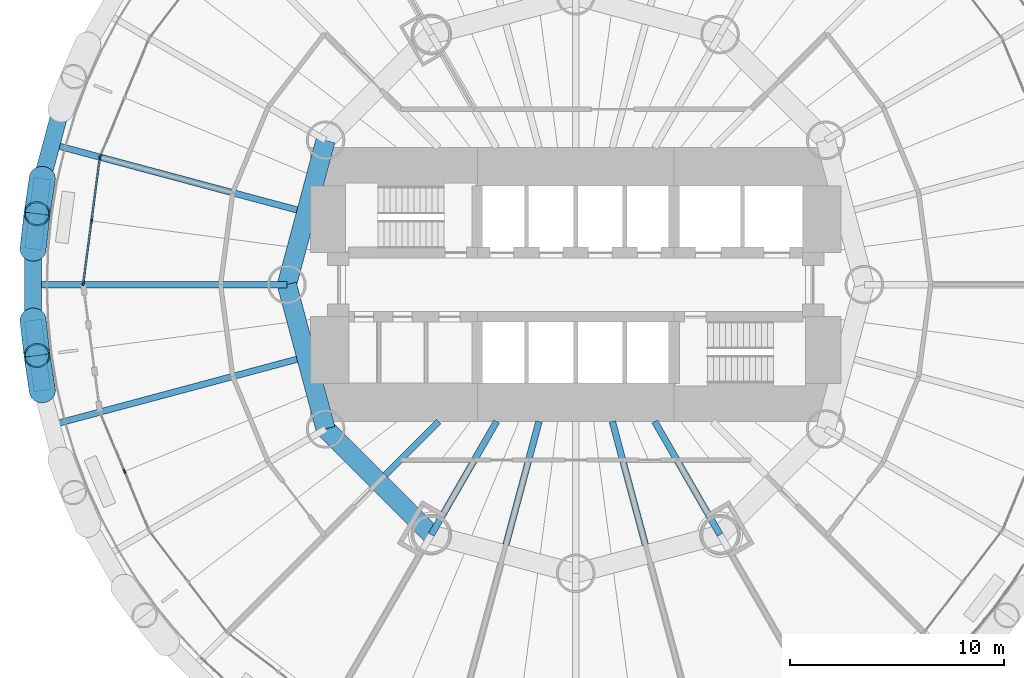
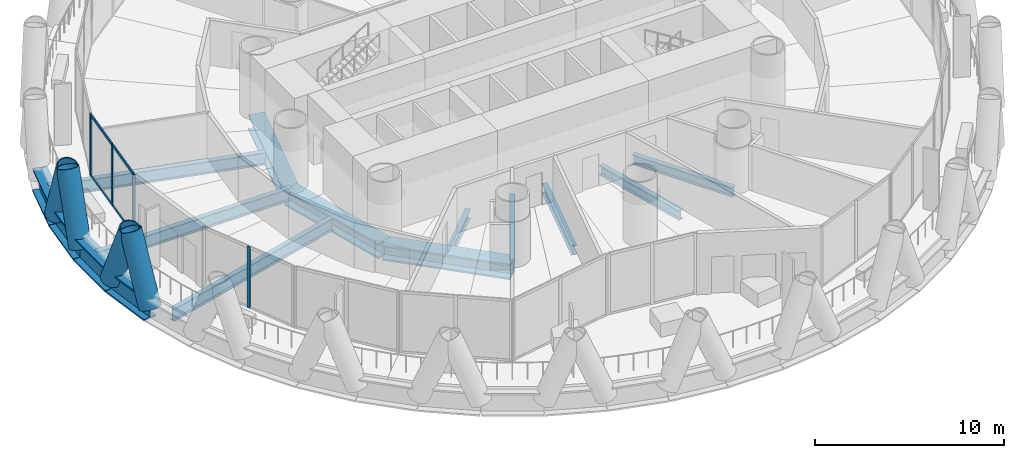
# One storey, part 3 of 15: 15 beams, 13 members, 3 elements without a shape of their own.
"""IFC4 building model written with IfcOpenShell, lengths in metres."""

from ifc_helpers import new_model, si_unit, direction, frame, origin, origin_2d, place, context, subcontext, project, spatial, rectangle, hollow_circle, i_section, extrude, material, material_profile, profile_set, type_object, element, aggregate, save


model = new_model("IFC4")

# Units and contexts
model_context = context("Model", 3, precision=1e-05, world=origin(), true_north=direction((0.0, 1.0)))
body_context = subcontext(model_context, "Body", "Model", "MODEL_VIEW")
ifc_project = project(units=[si_unit("LENGTHUNIT", "METRE"), si_unit("AREAUNIT", "SQUARE_METRE"), si_unit("VOLUMEUNIT", "CUBIC_METRE"), si_unit("PLANEANGLEUNIT", "RADIAN"), si_unit("MASSUNIT", "GRAM", prefix="KILO")], contexts=[model_context])

# Site, building, storey
site_placement = place(None, origin())
site = spatial("IfcSite", under=ifc_project, at=site_placement, CompositionType="ELEMENT")
building_placement = place(site_placement, origin())
building = spatial("IfcBuilding", under=site, at=building_placement, Name="Qaws Media Tower", CompositionType="ELEMENT")
storey_placement = place(building_placement, frame((0.0, 0.0, 97.39990234375)))
storey = spatial("IfcBuildingStorey", under=building, at=storey_placement, Name="L21", CompositionType="ELEMENT", Elevation=97.39990234375)

# Curtain wall, member
ifc_material_1 = material(Name="Aluminium and clear glass", Category="aluminium")
curtain_wall_type = type_object("IfcCurtainWallType", Name="Unitised curtain wall CW-A", PredefinedType="NOTDEFINED", material=ifc_material_1)
curtain_wall_1_placement = place(storey_placement, origin())
curtain_wall_1 = element("IfcCurtainWall", 1, at=curtain_wall_1_placement, inside=storey, type_object=curtain_wall_type, Name="CWA curtain wall L21-11", PredefinedType="NOTDEFINED")
ifc_material_2 = material(Name="Aluminium mullion", Category="aluminium")
ifc_material_profile_1 = material_profile(ifc_material_2, rectangle(XDim=0.080078125, YDim=0.199951171875, at=origin_2d()), Name="80x200")
ifc_profile_set_1 = profile_set([ifc_material_profile_1], Name="Aluminium mullion")
member_type_1 = type_object("IfcMemberType", Name="Curtain wall mullion 80x200", PredefinedType="MULLION", material=ifc_profile_set_1)
member_1_placement = place(storey_placement, frame((37.77490234375, 55.996337890625, 0.0), z_axis=(0.0, 0.0, 1.0), x_axis=(0.923879534081, -0.382683428576, 0.0)))
member_1 = element("IfcMember", 2, at=member_1_placement, type_object=member_type_1, Name="CWA mullion 3", PredefinedType="MULLION", context=body_context, shape_type="SweptSolid", body=[
    extrude(rectangle(XDim=0.080078125, YDim=0.199951171875, at=origin_2d()), origin(), (0.0, 0.0, 1.0), 3.9501953125),
])
aggregate(curtain_wall_1, [member_1])

# Curtain wall, members
curtain_wall_2_placement = place(storey_placement, origin())
curtain_wall_2 = element("IfcCurtainWall", 3, at=curtain_wall_2_placement, inside=storey, type_object=curtain_wall_type, Name="CWA curtain wall L21-12", PredefinedType="NOTDEFINED")
member_2_placement = place(storey_placement, frame((37.75439453125, 55.919677734375, 0.0), z_axis=(0.0, 0.0, 1.0), x_axis=(0.991444859517, -0.130526206323, 0.0)))
member_2 = element("IfcMember", 4, at=member_2_placement, type_object=member_type_1, Name="CWA mullion 1", PredefinedType="MULLION", context=body_context, shape_type="SweptSolid", body=[
    extrude(rectangle(XDim=0.080078125, YDim=0.199951171875, at=origin_2d()), origin(), (0.0, 0.0, 1.0), 3.9501953125),
])
member_3_placement = place(storey_placement, frame((37.3671875, 52.979736328125, 0.0), z_axis=(0.0, 0.0, 1.0), x_axis=(0.991444859517, -0.130526206323, 0.0)))
member_3 = element("IfcMember", 5, at=member_3_placement, type_object=member_type_1, Name="CWA mullion 2", PredefinedType="MULLION", context=body_context, shape_type="SweptSolid", body=[
    extrude(rectangle(XDim=0.080078125, YDim=0.199951171875, at=origin_2d()), origin(), (0.0, 0.0, 1.0), 3.9501953125),
])
member_4_placement = place(storey_placement, frame((36.980224609375, 50.03955078125, 0.0), z_axis=(0.0, 0.0, 1.0), x_axis=(0.991444859517, -0.130526206323, 0.0)))
member_4 = element("IfcMember", 6, at=member_4_placement, type_object=member_type_1, Name="CWA mullion 3", PredefinedType="MULLION", context=body_context, shape_type="SweptSolid", body=[
    extrude(rectangle(XDim=0.080078125, YDim=0.199951171875, at=origin_2d()), origin(), (0.0, 0.0, 1.0), 3.9501953125),
])

# Curtain wall, member
curtain_wall_3_placement = place(storey_placement, origin())
curtain_wall_3 = element("IfcCurtainWall", 7, at=curtain_wall_3_placement, inside=storey, type_object=curtain_wall_type, Name="CWA curtain wall L21-14", PredefinedType="NOTDEFINED")
member_5_placement = place(storey_placement, frame((38.90966796875, 41.26416015625, 0.0), z_axis=(0.0, 0.0, 1.0), x_axis=(0.923879534081, 0.382683428576, 0.0)))
member_5 = element("IfcMember", 8, at=member_5_placement, type_object=member_type_1, Name="CWA mullion 2", PredefinedType="MULLION", context=body_context, shape_type="SweptSolid", body=[
    extrude(rectangle(XDim=0.080078125, YDim=0.199951171875, at=origin_2d()), origin(), (0.0, 0.0, 1.0), 3.9501953125),
])
aggregate(curtain_wall_3, [member_5])

# Member
ifc_material_3 = material(Name="Aluminium transom", Category="aluminium")
ifc_material_profile_2 = material_profile(ifc_material_3, rectangle(XDim=0.080078125, YDim=0.159912109375, at=origin_2d()), Name="80x160")
ifc_profile_set_2 = profile_set([ifc_material_profile_2], Name="Aluminium transom")
member_type_2 = type_object("IfcMemberType", Name="Curtain wall transom 80x160", PredefinedType="USERDEFINED", material=ifc_profile_set_2)
member_6_placement = place(storey_placement, frame((37.7490234375, 55.8798828125, 0.0400390625), z_axis=(-0.130478589921, -0.991451127173, 0.0), x_axis=(0.991451127173, -0.130478589921, 0.0)))
member_6 = element("IfcMember", 9, at=member_6_placement, type_object=member_type_2, Name="CWA transom 1.1", ObjectType="TRANSOM", PredefinedType="USERDEFINED", context=body_context, shape_type="SweptSolid", body=[
    extrude(rectangle(XDim=0.080078125, YDim=0.159912109375, at=origin_2d()), origin(), (0.0, 0.0, 1.0), 2.88525390625),
])

member_7_placement = place(storey_placement, frame((37.7490234375, 55.8798828125, 3.91015625), z_axis=(-0.130478589921, -0.991451127173, 0.0), x_axis=(0.991451127173, -0.130478589921, 0.0)))
member_7 = element("IfcMember", 10, at=member_7_placement, type_object=member_type_2, Name="CWA transom 1.2", ObjectType="TRANSOM", PredefinedType="USERDEFINED", context=body_context, shape_type="SweptSolid", body=[
    extrude(rectangle(XDim=0.080078125, YDim=0.159912109375, at=origin_2d()), origin(), (0.0, 0.0, 1.0), 2.88525390625),
])

member_8_placement = place(storey_placement, frame((37.362060546875, 52.93994140625, 0.0400390625), z_axis=(-0.130561764442, -0.991440177553, 0.0), x_axis=(0.991440177553, -0.130561764442, 0.0)))
member_8 = element("IfcMember", 11, at=member_8_placement, type_object=member_type_2, Name="CWA transom 2.1", ObjectType="TRANSOM", PredefinedType="USERDEFINED", context=body_context, shape_type="SweptSolid", body=[
    extrude(rectangle(XDim=0.080078125, YDim=0.159912109375, at=origin_2d()), origin(), (0.0, 0.0, 1.0), 2.88525390625),
])

member_9_placement = place(storey_placement, frame((37.362060546875, 52.93994140625, 3.91015625), z_axis=(-0.130561764442, -0.991440177553, 0.0), x_axis=(0.991440177553, -0.130561764442, 0.0)))
member_9 = element("IfcMember", 12, at=member_9_placement, type_object=member_type_2, Name="CWA transom 2.2", ObjectType="TRANSOM", PredefinedType="USERDEFINED", context=body_context, shape_type="SweptSolid", body=[
    extrude(rectangle(XDim=0.080078125, YDim=0.159912109375, at=origin_2d()), origin(), (0.0, 0.0, 1.0), 2.88525390625),
])

aggregate(curtain_wall_2, [member_2, member_3, member_4, member_6, member_7, member_8, member_9])

# Members
ifc_material_4 = material(Name="Steel S460", Category="steel")
ifc_material_profile_3 = material_profile(ifc_material_4, hollow_circle(Radius=0.609619140625, WallThickness=0.06005859375, at=origin_2d()), Name="CHS 1219x60")
ifc_profile_set_3 = profile_set([ifc_material_profile_3], Name="Steel S460")
member_type_3 = type_object("IfcMemberType", Name="Diagrid member CHS 1219x60", PredefinedType="USERDEFINED", material=ifc_profile_set_3)
for number, where, z_axis, x_axis, name in (
    (13, (35.0634765625, 54.960205078125, -0.909912109375), (-0.055503674666, -0.370960571653, 0.926988455363), (0.988991200484, -0.147974340224, 0.0), "DG1 diagrid L21 A12"),
    (14, (34.62939453125, 48.337158203125, -0.909912109375), (0.042398060104, -0.372717492007, 0.926975768643), (0.993592148924, 0.113024960064, 0.0), "DG1 diagrid L21 A13"),
    (15, (34.62939453125, 51.662841796875, -0.909912109375), (0.042398060104, 0.372717492007, 0.926975768643), (-0.993592148924, 0.113024960064, 0.0), "DG1 diagrid L21 B13"),
    (16, (35.0634765625, 45.039794921875, -0.909912109375), (-0.055503674666, 0.370960571653, 0.926988455363), (-0.988991200484, -0.147974340224, 0.0), "DG1 diagrid L21 B14"),
):
    element("IfcMember", number, at=place(storey_placement, frame(where, z_axis=z_axis, x_axis=x_axis)), inside=storey, type_object=member_type_3, Name=name, ObjectType="DIAGRID", PredefinedType="USERDEFINED", context=body_context, shape_type="SweptSolid", body=[
        extrude(hollow_circle(Radius=0.609619140625, WallThickness=0.06005859375, at=origin_2d()), origin(), (0.0, 0.0, 1.0), 4.433837890625),
    ])

# Beams
ifc_material_5 = material(Name="Steel S460", Category="steel")
ifc_material_profile_4 = material_profile(ifc_material_5, i_section(OverallWidth=0.800048828125, OverallDepth=1.5, WebThickness=0.0400390625, FlangeThickness=0.10009765625, at=origin_2d()), Name="PG 1500x800")
ifc_profile_set_4 = profile_set([ifc_material_profile_4], Name="Steel S460")
beam_type_1 = type_object("IfcBeamType", Name="Edge ring beam PG 1500x800", PredefinedType="BEAM", material=ifc_profile_set_4)
beam_1_placement = place(storey_placement, frame((35.92431640625, 58.172607421875, -0.909912109375), z_axis=(-0.258841272413, -0.965919870225, 0.0), x_axis=(0.965919870225, -0.258841272413, 0.0)))
element("IfcBeam", 17, at=beam_1_placement, inside=storey, type_object=beam_type_1, Name="RB7 edge ring beam L21-22", PredefinedType="BEAM", context=body_context, shape_type="SweptSolid", body=[
    extrude(i_section(OverallWidth=0.800048828125, OverallDepth=1.5, WebThickness=0.0400390625, FlangeThickness=0.10009765625, at=origin_2d()), origin(), (0.0, 0.0, 1.0), 3.32568359375),
])
beam_2_placement = place(storey_placement, frame((35.0634765625, 54.960205078125, -0.909912109375), z_axis=(-0.130519075183, -0.991445798324, 0.0), x_axis=(0.991445798324, -0.130519075183, 0.0)))
element("IfcBeam", 18, at=beam_2_placement, inside=storey, type_object=beam_type_1, Name="RB7 edge ring beam L21-23", PredefinedType="BEAM", context=body_context, shape_type="SweptSolid", body=[
    extrude(i_section(OverallWidth=0.800048828125, OverallDepth=1.5, WebThickness=0.0400390625, FlangeThickness=0.10009765625, at=origin_2d()), origin(), (0.0, 0.0, 1.0), 3.325927734375),
])
beam_3_placement = place(storey_placement, frame((34.62939453125, 51.662841796875, -0.909912109375), z_axis=(0.0, -1.0, 0.0), x_axis=(1.0, 0.0, 0.0)))
element("IfcBeam", 19, at=beam_3_placement, inside=storey, type_object=beam_type_1, Name="RB7 edge ring beam L21-24", PredefinedType="BEAM", context=body_context, shape_type="SweptSolid", body=[
    extrude(i_section(OverallWidth=0.800048828125, OverallDepth=1.5, WebThickness=0.0400390625, FlangeThickness=0.10009765625, at=origin_2d()), origin(), (0.0, 0.0, 1.0), 3.32568359375),
])
beam_4_placement = place(storey_placement, frame((34.62939453125, 48.337158203125, -0.909912109375), z_axis=(0.130519075183, -0.991445798324, 0.0), x_axis=(0.991445798324, 0.130519075183, 0.0)))
element("IfcBeam", 20, at=beam_4_placement, inside=storey, type_object=beam_type_1, Name="RB7 edge ring beam L21-25", PredefinedType="BEAM", context=body_context, shape_type="SweptSolid", body=[
    extrude(i_section(OverallWidth=0.800048828125, OverallDepth=1.5, WebThickness=0.0400390625, FlangeThickness=0.10009765625, at=origin_2d()), origin(), (0.0, 0.0, 1.0), 3.325927734375),
])
ifc_material_6 = material(Name="Steel S460", Category="steel")
ifc_material_profile_5 = material_profile(ifc_material_6, i_section(OverallWidth=0.89990234375, OverallDepth=1.0, WebThickness=0.044921875, FlangeThickness=0.110107421875, at=origin_2d()), Name="PG 1000x900")
ifc_profile_set_5 = profile_set([ifc_material_profile_5], Name="Steel S460")
beam_type_2 = type_object("IfcBeamType", Name="Inner ring girder PG 1000x900", PredefinedType="BEAM", material=ifc_profile_set_5)
for number, where, z_axis, x_axis, name in (
    (21, (48.30859375, 56.75, -0.659912109375), (-0.258810593767, -0.965928090778, 0.0), (0.965928090778, -0.258810593767, 0.0), "B3 inner ring beam L21 I06-I07"),
    (22, (46.5, 50.0, -0.659912109375), (0.258810593767, -0.965928090778, 0.0), (0.965928090778, 0.258810593767, 0.0), "B3 inner ring beam L21 I07-I08"),
):
    element("IfcBeam", number, at=place(storey_placement, frame(where, z_axis=z_axis, x_axis=x_axis)), inside=storey, type_object=beam_type_2, Name=name, PredefinedType="BEAM", context=body_context, shape_type="SweptSolid", body=[
        extrude(i_section(OverallWidth=0.89990234375, OverallDepth=1.0, WebThickness=0.044921875, FlangeThickness=0.110107421875, at=origin_2d()), origin(), (0.0, 0.0, 1.0), 6.988037109375),
    ])
beam_5_placement = place(storey_placement, frame((48.30859375, 43.25, -0.659912109375), z_axis=(0.707106781187, -0.707106781187, 0.0), x_axis=(0.707106781187, 0.707106781187, 0.0)))
element("IfcBeam", 23, at=beam_5_placement, inside=storey, type_object=beam_type_2, Name="B3 inner ring beam L21 I08-I09", PredefinedType="BEAM", context=body_context, shape_type="SweptSolid", body=[
    extrude(i_section(OverallWidth=0.89990234375, OverallDepth=1.0, WebThickness=0.044921875, FlangeThickness=0.110107421875, at=origin_2d()), origin(), (0.0, 0.0, 1.0), 6.98828125),
])
ifc_material_7 = material(Name="Steel S355", Category="steel")
ifc_material_profile_6 = material_profile(ifc_material_7, i_section(OverallWidth=0.304931640625, OverallDepth=0.6201171875, WebThickness=0.02099609375, FlangeThickness=0.0400390625, FilletRadius=0.027099609375, at=origin_2d()), Name="HE 600 M")
ifc_profile_set_6 = profile_set([ifc_material_profile_6], Name="Steel S355")
beam_type_3 = type_object("IfcBeamType", Name="Radial beam HE 600 M, core side", PredefinedType="BEAM", material=ifc_profile_set_6)
beam_6_placement = place(storey_placement, frame((53.60009765625, 43.60009765625, -0.469970703125), z_axis=(-0.707106781187, -0.707106781187, 0.0), x_axis=(0.707106781187, -0.707106781187, 0.0)))
element("IfcBeam", 24, at=beam_6_placement, inside=storey, type_object=beam_type_3, Name="B2 radial beam L21 16", PredefinedType="BEAM", context=body_context, shape_type="SweptSolid", body=[
    extrude(i_section(OverallWidth=0.304931640625, OverallDepth=0.6201171875, WebThickness=0.02099609375, FlangeThickness=0.0400390625, FilletRadius=0.027099609375, at=origin_2d()), origin(), (0.0, 0.0, 1.0), 3.539306640625),
])
beam_7_placement = place(storey_placement, frame((56.304931640625, 43.60009765625, -0.469970703125), z_axis=(-0.49998532359, -0.866033877048, 0.0), x_axis=(0.866033877048, -0.49998532359, 0.0)))
element("IfcBeam", 25, at=beam_7_placement, inside=storey, type_object=beam_type_3, Name="B2 radial beam L21 17", PredefinedType="BEAM", context=body_context, shape_type="SweptSolid", body=[
    extrude(i_section(OverallWidth=0.304931640625, OverallDepth=0.6201171875, WebThickness=0.02099609375, FlangeThickness=0.0400390625, FilletRadius=0.027099609375, at=origin_2d()), origin(), (0.0, 0.0, 1.0), 6.110107421875),
])
for number, where, z_axis, x_axis, name in (
    (26, (58.28515625, 43.60009765625, -0.469970703125), (-0.258826794509, -0.965923749808, 0.0), (0.965923749808, -0.258826794509, 0.0), "B2 radial beam L21 18"),
    (27, (61.71484375, 43.60009765625, -0.469970703125), (0.258826794509, -0.965923749808, 0.0), (0.965923749808, 0.258826794509, 0.0), "B2 radial beam L21 20"),
):
    element("IfcBeam", number, at=place(storey_placement, frame(where, z_axis=z_axis, x_axis=x_axis)), inside=storey, type_object=beam_type_3, Name=name, PredefinedType="BEAM", context=body_context, shape_type="SweptSolid", body=[
        extrude(i_section(OverallWidth=0.304931640625, OverallDepth=0.6201171875, WebThickness=0.02099609375, FlangeThickness=0.0400390625, FilletRadius=0.027099609375, at=origin_2d()), origin(), (0.0, 0.0, 1.0), 5.964111328125),
    ])
beam_8_placement = place(storey_placement, frame((63.695068359375, 43.60009765625, -0.469970703125), z_axis=(0.49998532359, -0.866033877048, 0.0), x_axis=(0.866033877048, 0.49998532359, 0.0)))
element("IfcBeam", 28, at=beam_8_placement, inside=storey, type_object=beam_type_3, Name="B2 radial beam L21 21", PredefinedType="BEAM", context=body_context, shape_type="SweptSolid", body=[
    extrude(i_section(OverallWidth=0.304931640625, OverallDepth=0.6201171875, WebThickness=0.02099609375, FlangeThickness=0.0400390625, FilletRadius=0.027099609375, at=origin_2d()), origin(), (0.0, 0.0, 1.0), 6.110107421875),
])
ifc_material_8 = material(Name="Steel S355", Category="steel")
ifc_material_profile_7 = material_profile(ifc_material_8, i_section(OverallWidth=0.300048828125, OverallDepth=0.800048828125, WebThickness=0.017578125, FlangeThickness=0.032958984375, FilletRadius=0.030029296875, at=origin_2d()), Name="HE 800 B")
ifc_profile_set_7 = profile_set([ifc_material_profile_7], Name="Steel S355")
beam_type_4 = type_object("IfcBeamType", Name="Radial beam HE 800 B", PredefinedType="BEAM", material=ifc_profile_set_7)
beam_9_placement = place(storey_placement, frame((46.9697265625, 53.491455078125, -0.559814453125), z_axis=(-0.965925578618, 0.258819969422, 0.0), x_axis=(-0.258819969422, -0.965925578618, 0.0)))
element("IfcBeam", 29, at=beam_9_placement, inside=storey, type_object=beam_type_4, Name="B1 radial beam L21 12", PredefinedType="BEAM", context=body_context, shape_type="SweptSolid", body=[
    extrude(i_section(OverallWidth=0.300048828125, OverallDepth=0.800048828125, WebThickness=0.017578125, FlangeThickness=0.032958984375, FilletRadius=0.030029296875, at=origin_2d()), origin(), (0.0, 0.0, 1.0), 11.880615234375),
])
beam_10_placement = place(storey_placement, frame((46.5, 50.0, -0.559814453125), z_axis=(-1.0, 0.0, 0.0), x_axis=(0.0, -1.0, 0.0)))
element("IfcBeam", 30, at=beam_10_placement, inside=storey, type_object=beam_type_4, Name="B1 radial beam L21 13", PredefinedType="BEAM", context=body_context, shape_type="SweptSolid", body=[
    extrude(i_section(OverallWidth=0.300048828125, OverallDepth=0.800048828125, WebThickness=0.017578125, FlangeThickness=0.032958984375, FilletRadius=0.030029296875, at=origin_2d()), origin(), (0.0, 0.0, 1.0), 11.87060546875),
])
beam_11_placement = place(storey_placement, frame((46.9697265625, 46.508544921875, -0.559814453125), z_axis=(-0.965925578618, -0.258819969422, 0.0), x_axis=(0.258819969422, -0.965925578618, 0.0)))
element("IfcBeam", 31, at=beam_11_placement, inside=storey, type_object=beam_type_4, Name="B1 radial beam L21 14", PredefinedType="BEAM", context=body_context, shape_type="SweptSolid", body=[
    extrude(i_section(OverallWidth=0.300048828125, OverallDepth=0.800048828125, WebThickness=0.017578125, FlangeThickness=0.032958984375, FilletRadius=0.030029296875, at=origin_2d()), origin(), (0.0, 0.0, 1.0), 11.880615234375),
])

save(model, "model.ifc")
